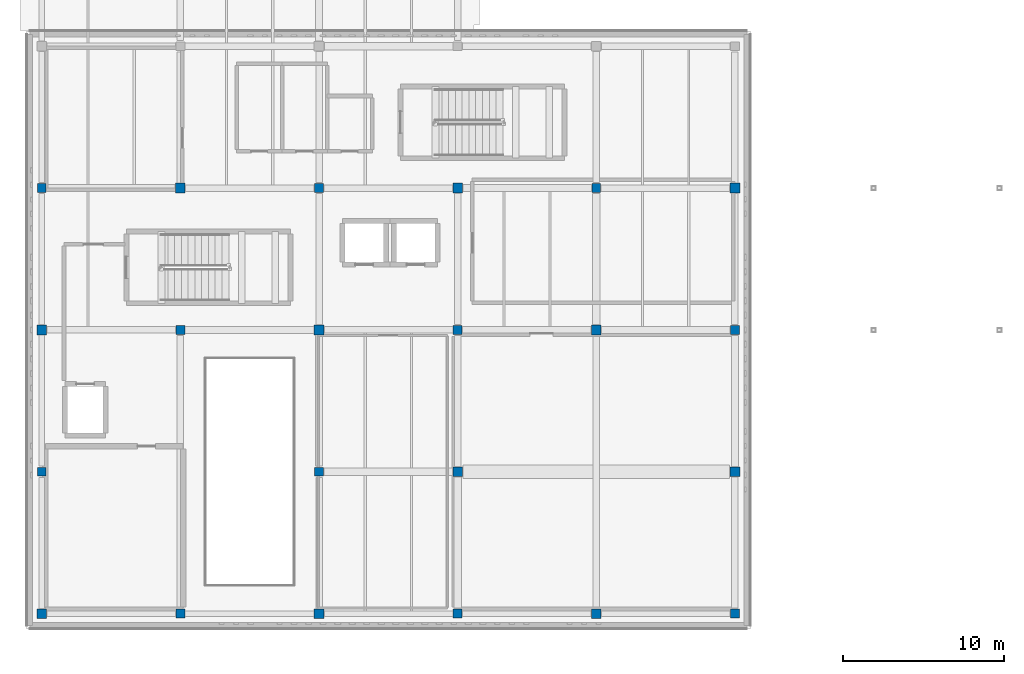
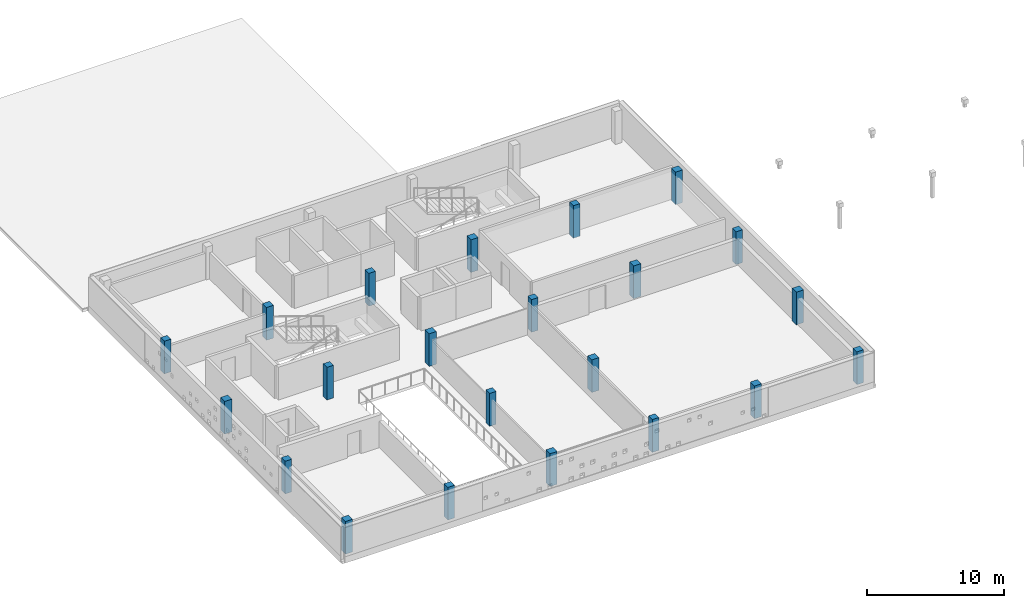
# One storey, part 1 of 17: 22 columns.
"""IFC4 building model written with IfcOpenShell, lengths in metres."""

from ifc_helpers import new_model, si_unit, direction, frame, origin, origin_2d, place, context, subcontext, project, spatial, rectangle, extrude, material, material_profile, profile_set, type_object, element, save


model = new_model("IFC4")

# Units and contexts
model_context = context("Model", 3, precision=1e-05, world=origin(), true_north=direction((0.0, 1.0)))
body_context = subcontext(model_context, "Body", "Model", "MODEL_VIEW")
ifc_project = project(units=[si_unit("LENGTHUNIT", "METRE"), si_unit("AREAUNIT", "SQUARE_METRE"), si_unit("VOLUMEUNIT", "CUBIC_METRE"), si_unit("PLANEANGLEUNIT", "RADIAN"), si_unit("MASSUNIT", "GRAM", prefix="KILO")], contexts=[model_context])

# Site, building, storey
site_placement = place(None, origin())
site = spatial("IfcSite", under=ifc_project, at=site_placement, CompositionType="ELEMENT")
building_placement = place(site_placement, origin())
building = spatial("IfcBuilding", under=site, at=building_placement, Name="Varnakota Cinema and Media Centre", CompositionType="ELEMENT")
storey_placement = place(building_placement, frame((0.0, 0.0, 22.35009765625)))
storey = spatial("IfcBuildingStorey", under=building, at=storey_placement, Name="L06", CompositionType="ELEMENT", Elevation=22.35009765625)

# Columns
ifc_material_1 = material(Name="Concrete M40", Category="concrete")
ifc_material_profile_1 = material_profile(ifc_material_1, rectangle(XDim=0.550048828125, YDim=0.550048828125, at=origin_2d()), Name="RC 550x550")
ifc_profile_set_1 = profile_set([ifc_material_profile_1], Name="Concrete M40")
column_type_1 = type_object("IfcColumnType", Name="COL-RC-550x550", PredefinedType="COLUMN", material=ifc_profile_set_1)
for number, where, z_axis, x_axis, name in (
    (1, (0.0, 8.800048828125, 0.0), (0.0, 0.0, 1.0), (1.0, 0.0, 0.0), "L06 column A/2"),
    (2, (0.0, 26.39990234375, 0.0), (0.0, 0.0, 1.0), (1.0, 0.0, 0.0), "L06 column A/4"),
    (3, (8.60009765625, 0.0, 0.0), (0.0, 0.0, 1.0), (1.0, 0.0, 0.0), "L06 column B/1"),
    (4, (8.60009765625, 17.60009765625, 0.0), (0.0, 0.0, 1.0), (1.0, 0.0, 0.0), "L06 column B/3"),
    (5, (17.199951171875, 8.800048828125, 0.0), (0.0, 0.0, 1.0), (1.0, 0.0, 0.0), "L06 column C/2"),
    (6, (17.199951171875, 26.39990234375, 0.0), (0.0, 0.0, 1.0), (1.0, 0.0, 0.0), "L06 column C/4"),
    (7, (25.800048828125, 0.0, 0.0), (0.0, 0.0, 1.0), (1.0, 0.0, 0.0), "L06 column D/1"),
    (8, (25.800048828125, 17.60009765625, 0.0), (0.0, 0.0, 1.0), (1.0, 0.0, 0.0), "L06 column D/3"),
    (9, (34.39990234375, 26.39990234375, 0.0), (0.0, 0.0, 1.0), (1.0, 0.0, 0.0), "L06 column E/4"),
    (10, (43.0, 0.0, 0.0), (0.0, 0.0, 1.0), (1.0, 0.0, 0.0), "L06 column F/1"),
    (11, (43.0, 17.60009765625, 0.0), (0.0, 0.0, 1.0), (1.0, 0.0, 0.0), "L06 column F/3"),
):
    element("IfcColumn", number, at=place(storey_placement, frame(where, z_axis=z_axis, x_axis=x_axis)), inside=storey, type_object=column_type_1, Name=name, PredefinedType="COLUMN", context=body_context, shape_type="SweptSolid", body=[
        extrude(rectangle(XDim=0.550048828125, YDim=0.550048828125, at=origin_2d()), origin(), (0.0, 0.0, 1.0), 2.909912109375),
    ])
ifc_material_2 = material(Name="Concrete M40", Category="concrete")
ifc_material_profile_2 = material_profile(ifc_material_2, rectangle(XDim=0.60009765625, YDim=0.60009765625, at=origin_2d()), Name="RC 600x600")
ifc_profile_set_2 = profile_set([ifc_material_profile_2], Name="Concrete M40")
column_type_2 = type_object("IfcColumnType", Name="COL-RC-600x600", PredefinedType="COLUMN", material=ifc_profile_set_2)
for number, where, z_axis, x_axis, name in (
    (12, (0.0, 0.0, 0.0), (0.0, 0.0, 1.0), (1.0, 0.0, 0.0), "L06 column A/1"),
    (13, (0.0, 17.60009765625, 0.0), (0.0, 0.0, 1.0), (1.0, 0.0, 0.0), "L06 column A/3"),
    (14, (8.60009765625, 26.39990234375, 0.0), (0.0, 0.0, 1.0), (1.0, 0.0, 0.0), "L06 column B/4"),
    (15, (17.199951171875, 0.0, 0.0), (0.0, 0.0, 1.0), (1.0, 0.0, 0.0), "L06 column C/1"),
    (16, (17.199951171875, 17.60009765625, 0.0), (0.0, 0.0, 1.0), (1.0, 0.0, 0.0), "L06 column C/3"),
    (17, (25.800048828125, 8.800048828125, 0.0), (0.0, 0.0, 1.0), (1.0, 0.0, 0.0), "L06 column D/2"),
    (18, (25.800048828125, 26.39990234375, 0.0), (0.0, 0.0, 1.0), (1.0, 0.0, 0.0), "L06 column D/4"),
    (19, (34.39990234375, 0.0, 0.0), (0.0, 0.0, 1.0), (1.0, 0.0, 0.0), "L06 column E/1"),
    (20, (34.39990234375, 17.60009765625, 0.0), (0.0, 0.0, 1.0), (1.0, 0.0, 0.0), "L06 column E/3"),
    (21, (43.0, 8.800048828125, 0.0), (0.0, 0.0, 1.0), (1.0, 0.0, 0.0), "L06 column F/2"),
    (22, (43.0, 26.39990234375, 0.0), (0.0, 0.0, 1.0), (1.0, 0.0, 0.0), "L06 column F/4"),
):
    element("IfcColumn", number, at=place(storey_placement, frame(where, z_axis=z_axis, x_axis=x_axis)), inside=storey, type_object=column_type_2, Name=name, PredefinedType="COLUMN", context=body_context, shape_type="SweptSolid", body=[
        extrude(rectangle(XDim=0.60009765625, YDim=0.60009765625, at=origin_2d()), origin(), (0.0, 0.0, 1.0), 2.909912109375),
    ])

save(model, "model.ifc")
